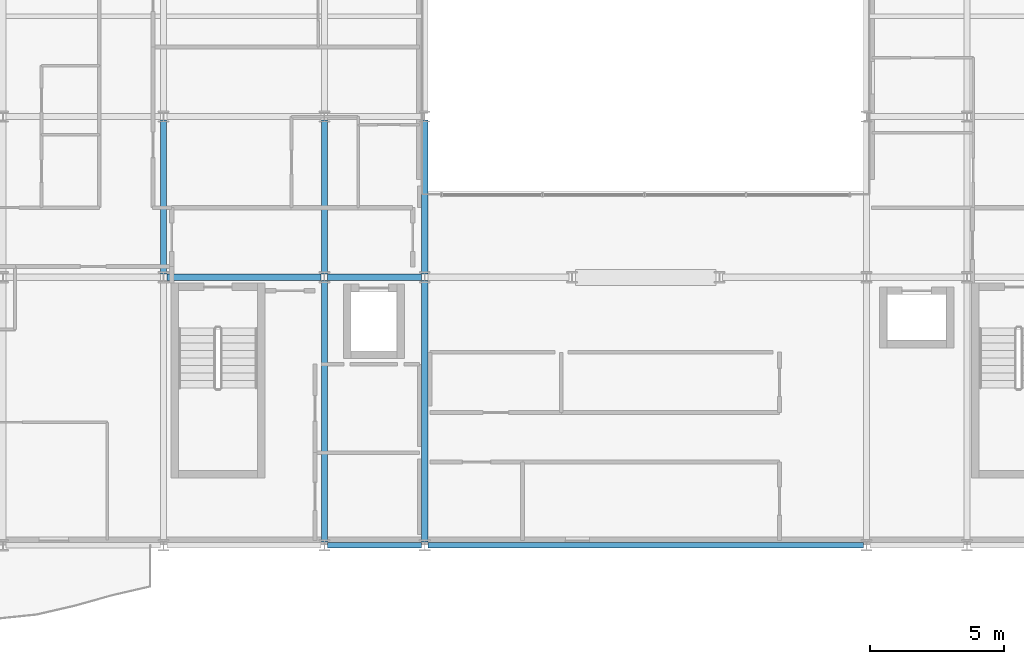
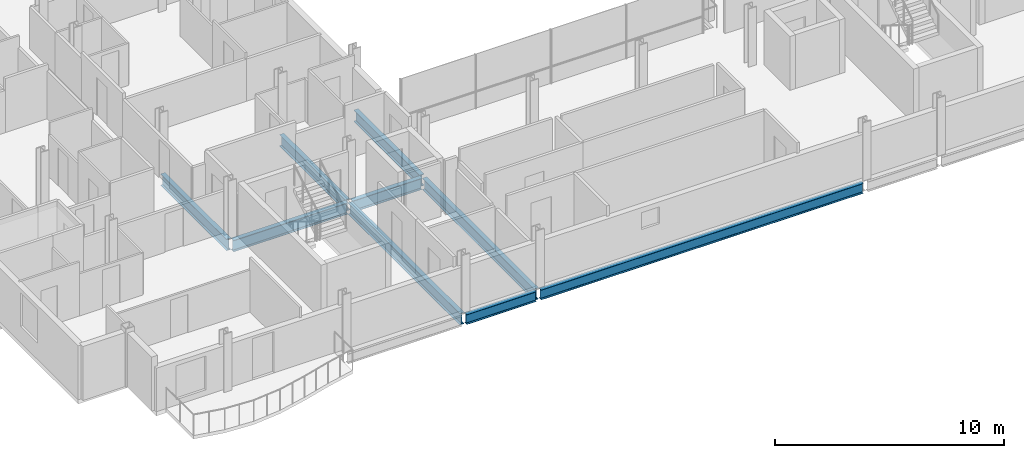
# One storey, part 3 of 40: 9 beams.
"""IFC4 building model written with IfcOpenShell, lengths in metres."""

import ifcopenshell
import ifcopenshell.guid

model = None  # the IFC model being written
_history = None  # IfcOwnerHistory: only IFC2X3 demands one
_inside = {}  # id of a spatial element -> (the spatial element, [elements in it])
_under = {}  # id of a project, library or spatial element -> (it, [spatial elements below it])
_declared = {}  # id of a project -> (the project, [libraries it declares])
_typed = {}  # id of a type object -> (the type object, [elements of that type])
_made_of = {}  # id of a material, layer set ... -> (it, [elements and type objects made of it])


def new_model(schema):
    """Start an empty IFC model of exactly this schema.

    Asked for "IFC4X3", IfcOpenShell would pick the latest addendum, in which some entities
    have other attributes; the version numbers below select the first issue.
    IFC2X3 requires an IfcOwnerHistory on every rooted entity: one is made here for all.
    """
    global model, _history
    if schema == "IFC4X3":
        model = ifcopenshell.file(schema_version=(4, 3, 0, 0))
    else:
        model = ifcopenshell.file(schema=schema)
    _inside.clear()
    _under.clear()
    _declared.clear()
    _typed.clear()
    _made_of.clear()
    _history = None
    if model.schema == "IFC2X3":
        org = make("IfcOrganization", Name="unknown")
        user = make(
            "IfcPersonAndOrganization",
            ThePerson=make("IfcPerson", FamilyName="unknown"),
            TheOrganization=org,
        )
        app = make(
            "IfcApplication",
            ApplicationDeveloper=org,
            Version="unknown",
            ApplicationFullName="unknown",
            ApplicationIdentifier="unknown",
        )
        _history = make(
            "IfcOwnerHistory",
            OwningUser=user,
            OwningApplication=app,
            ChangeAction="ADDED",
            CreationDate=0,
        )
    return model


def make(cls, **values):
    """One entity of the class cls with the attributes given. An attribute that is None is left unset."""
    return model.create_entity(
        cls, **{name: value for name, value in values.items() if value is not None}
    )


def rooted(cls, **values):
    """An entity with a GlobalId (a new one), such as an element, a storey or a relation."""
    return make(cls, GlobalId=ifcopenshell.guid.new(), OwnerHistory=_history, **values)


def si_unit(unit_type, name, prefix=None):
    """IfcSIUnit, for example si_unit("LENGTHUNIT", "METRE", prefix="MILLI")."""
    return make("IfcSIUnit", UnitType=unit_type, Prefix=prefix, Name=name)


def assignment(units):
    """IfcUnitAssignment: the units of a project."""
    return None if units is None else make("IfcUnitAssignment", Units=units)


def point(xyz):
    """IfcCartesianPoint."""
    return None if xyz is None else make("IfcCartesianPoint", Coordinates=xyz)


def direction(xyz):
    """IfcDirection."""
    return None if xyz is None else make("IfcDirection", DirectionRatios=xyz)


def frame(location, z_axis=None, x_axis=None):
    """IfcAxis2Placement3D, a coordinate frame: its origin and axes. An axis left out is left unset."""
    return make(
        "IfcAxis2Placement3D",
        Location=point(location),
        Axis=direction(z_axis),
        RefDirection=direction(x_axis),
    )


def frame_2d(location, x_axis=None):
    """IfcAxis2Placement2D, a coordinate frame in the plane: its origin and x axis."""
    return make(
        "IfcAxis2Placement2D", Location=point(location), RefDirection=direction(x_axis)
    )


def origin():
    """The frame at (0, 0, 0) with its axes left unset."""
    return frame((0.0, 0.0, 0.0))


def origin_2d():
    """The frame at (0, 0) in the plane with its x axis left unset."""
    return frame_2d((0.0, 0.0))


def place(relative_to, where):
    """IfcLocalPlacement: puts the frame where relative to a parent placement (None: the world)."""
    return make(
        "IfcLocalPlacement", PlacementRelTo=relative_to, RelativePlacement=where
    )


def context(
    kind, dimensions, precision=None, world=None, true_north=None, identifier=None
):
    """IfcGeometricRepresentationContext, for example the 3D "Model" context."""
    return make(
        "IfcGeometricRepresentationContext",
        ContextIdentifier=identifier,
        ContextType=kind,
        CoordinateSpaceDimension=dimensions,
        Precision=precision,
        WorldCoordinateSystem=world,
        TrueNorth=true_north,
    )


def subcontext(parent, identifier, kind, view, scale=None):
    """IfcGeometricRepresentationSubContext, for example "Body" below "Model"."""
    return make(
        "IfcGeometricRepresentationSubContext",
        ContextIdentifier=identifier,
        ContextType=kind,
        ParentContext=parent,
        TargetScale=scale,
        TargetView=view,
    )


def project(units=None, contexts=None):
    """IfcProject with its units and contexts."""
    return rooted(
        "IfcProject",
        Name="project",
        RepresentationContexts=contexts,
        UnitsInContext=assignment(units),
    )


def spatial(cls, under=None, at=None, **own):
    """A site, building, storey or space (cls), placed at a placement, below another one or the project."""
    s = rooted(cls, ObjectPlacement=at, **own)
    if under is not None:
        _under.setdefault(under.id(), (under, []))[1].append(s)
    return s


def profile(cls, at=None, kind="AREA", **sizes):
    """A parametric profile (cls). Its sizes go by their IFC names, for example OverallWidth=200.0."""
    return make(cls, ProfileType=kind, Position=at, **sizes)


def i_section(**sizes):
    """IfcIShapeProfileDef."""
    return profile("IfcIShapeProfileDef", **sizes)


def extrude(swept, where, along, depth):
    """IfcExtrudedAreaSolid: the profile swept, set in the frame where, extruded along a direction by depth."""
    return make(
        "IfcExtrudedAreaSolid",
        SweptArea=swept,
        Position=where,
        ExtrudedDirection=direction(along),
        Depth=depth,
    )


def shape(context_of_items, identifier, shape_type, items):
    """IfcShapeRepresentation: the items that make up one representation, for example the "Body"."""
    return make(
        "IfcShapeRepresentation",
        ContextOfItems=context_of_items,
        RepresentationIdentifier=identifier,
        RepresentationType=shape_type,
        Items=items,
    )


def material(Name=None, Category=None):
    """IfcMaterial."""
    return make("IfcMaterial", Name=Name, Category=Category)


def material_profile(
    of_material, cross_section, Name=None, Category=None, Priority=None
):
    """IfcMaterialProfile: a cross section and its material."""
    return make(
        "IfcMaterialProfile",
        Name=Name,
        Material=of_material,
        Profile=cross_section,
        Priority=Priority,
        Category=Category,
    )


def profile_set(profiles, Name=None, composite=None):
    """IfcMaterialProfileSet."""
    return make(
        "IfcMaterialProfileSet",
        Name=Name,
        MaterialProfiles=profiles,
        CompositeProfile=composite,
    )


def made_of(thing, what):
    """Note that an element or type object is made of a material, layer set ...; save() writes the relation."""
    if what is not None:
        _made_of.setdefault(what.id(), (what, []))[1].append(thing)
    return thing


def type_object(cls, material=None, **own):
    """A type object (cls), such as IfcWallType, which elements share."""
    return made_of(rooted(cls, **own), material)


def element(
    cls,
    number,
    at=None,
    inside=None,
    cuts=None,
    type_object=None,
    material=None,
    context=None,
    identifier="Body",
    shape_type=None,
    held_by="IfcProductDefinitionShape",
    body=None,
    shapes=None,
    **own,
):
    """One element of the class cls, such as IfcWall. Its Tag is "e" and its number.

    at: its placement. inside: the storey or other place that contains it. cuts: it is an
    opening in that element (IfcRelVoidsElement). A single representation is given by context,
    identifier, shape_type and body (its items); several are given by shapes. held_by: the class
    of the entity that holds the representations. save() writes the other relations.
    """
    e = rooted(cls, Tag="e%d" % number, ObjectPlacement=at, **own)
    if body is not None:
        shapes = [shape(context, identifier, shape_type, body)]
    if shapes is not None:
        e.Representation = make(held_by, Representations=shapes)
    if inside is not None:
        _inside.setdefault(inside.id(), (inside, []))[1].append(e)
    if cuts is not None:
        rooted(
            "IfcRelVoidsElement", RelatingBuildingElement=cuts, RelatedOpeningElement=e
        )
    if type_object is not None:
        _typed.setdefault(type_object.id(), (type_object, []))[1].append(e)
    return made_of(e, material)


def aggregate(whole, parts):
    """IfcRelAggregates: a whole, such as a stair, and the parts it consists of."""
    return rooted("IfcRelAggregates", RelatingObject=whole, RelatedObjects=parts)


def save(model, path):
    """Write the relations noted so far, then the file.

    IfcRelAggregates (storeys below a building ...), IfcRelContainedInSpatialStructure (elements
    in a storey), IfcRelDefinesByType, IfcRelAssociatesMaterial and IfcRelDeclares: one each for
    every whole, place, type object, material and project.
    """
    for whole, parts in _under.values():
        aggregate(whole, parts)
    for where, things in _inside.values():
        rooted(
            "IfcRelContainedInSpatialStructure",
            RelatedElements=things,
            RelatingStructure=where,
        )
    for kind, things in _typed.values():
        rooted("IfcRelDefinesByType", RelatedObjects=things, RelatingType=kind)
    for what, things in _made_of.values():
        rooted("IfcRelAssociatesMaterial", RelatedObjects=things, RelatingMaterial=what)
    for by, libraries in _declared.values():
        rooted("IfcRelDeclares", RelatingContext=by, RelatedDefinitions=libraries)
    model.write(path)


model = new_model("IFC4")

# Units and contexts
model_context = context("Model", 3, precision=1e-05, world=origin(), true_north=direction((0.0, 1.0)))
body_context = subcontext(model_context, "Body", "Model", "MODEL_VIEW")
ifc_project = project(units=[si_unit("LENGTHUNIT", "METRE"), si_unit("AREAUNIT", "SQUARE_METRE"), si_unit("VOLUMEUNIT", "CUBIC_METRE"), si_unit("PLANEANGLEUNIT", "RADIAN"), si_unit("MASSUNIT", "GRAM", prefix="KILO")], contexts=[model_context])

# Site, building, storey
site_placement = place(None, origin())
site = spatial("IfcSite", under=ifc_project, at=site_placement, CompositionType="ELEMENT")
building_placement = place(site_placement, origin())
building = spatial("IfcBuilding", under=site, at=building_placement, Name="Brevholm Reach", CompositionType="ELEMENT")
storey_placement = place(building_placement, frame((0.0, 0.0, 119.0)))
storey = spatial("IfcBuildingStorey", under=building, at=storey_placement, Name="L35", CompositionType="ELEMENT", Elevation=119.0)

# Beams
ifc_material_1 = material(Name="Structural Steel S355J2", Category="steel")
ifc_material_profile_1 = material_profile(ifc_material_1, i_section(OverallWidth=0.209228515625, OverallDepth=0.533203125, WebThickness=0.010009765625, FlangeThickness=0.015625, FilletRadius=0.0126953125, at=origin_2d()), Name="UKB 533x210x92")
ifc_profile_set_1 = profile_set([ifc_material_profile_1], Name="Structural Steel S355J2")
beam_type_1 = type_object("IfcBeamType", Name="BM-SP533", PredefinedType="SPANDREL", material=ifc_profile_set_1)
beam_1_placement = place(storey_placement, frame((18.1201171875, 0.0, -0.486572265625), z_axis=(1.0, 0.0, 0.0), x_axis=(0.0, 1.0, 0.0)))
element("IfcBeam", 1, at=beam_1_placement, inside=storey, type_object=beam_type_1, Name="L35 SP-02 Framing Beam", PredefinedType="SPANDREL", context=body_context, shape_type="SweptSolid", body=[
    extrude(i_section(OverallWidth=0.209228515625, OverallDepth=0.533203125, WebThickness=0.010009765625, FlangeThickness=0.015625, FilletRadius=0.0126953125, at=origin_2d()), origin(), (0.0, 0.0, 1.0), 3.509765625),
])
beam_2_placement = place(storey_placement, frame((21.8701171875, 0.0, -0.486572265625), z_axis=(1.0, 0.0, 0.0), x_axis=(0.0, 1.0, 0.0)))
element("IfcBeam", 2, at=beam_2_placement, inside=storey, type_object=beam_type_1, Name="L35 SP-02 Framing Beam", PredefinedType="SPANDREL", context=body_context, shape_type="SweptSolid", body=[
    extrude(i_section(OverallWidth=0.209228515625, OverallDepth=0.533203125, WebThickness=0.010009765625, FlangeThickness=0.015625, FilletRadius=0.0126953125, at=origin_2d()), origin(), (0.0, 0.0, 1.0), 16.259765625),
])
ifc_material_2 = material(Name="Structural Steel S355J2", Category="steel")
ifc_material_profile_2 = material_profile(ifc_material_2, i_section(OverallWidth=0.22900390625, OverallDepth=0.6123046875, WebThickness=0.011962890625, FlangeThickness=0.01953125, FilletRadius=0.0126953125, at=origin_2d()), Name="UKB 610x229x125")
ifc_profile_set_2 = profile_set([ifc_material_profile_2], Name="Structural Steel S355J2")
beam_type_2 = type_object("IfcBeamType", Name="BM-SP610", PredefinedType="SPANDREL", material=ifc_profile_set_2)
beam_3_placement = place(storey_placement, frame((12.1201171875, 10.0, -0.526123046875), z_axis=(1.0, 0.0, 0.0), x_axis=(0.0, 1.0, 0.0)))
element("IfcBeam", 3, at=beam_3_placement, inside=storey, type_object=beam_type_2, Name="L35 SP-01 Framing Beam", PredefinedType="SPANDREL", context=body_context, shape_type="SweptSolid", body=[
    extrude(i_section(OverallWidth=0.22900390625, OverallDepth=0.6123046875, WebThickness=0.011962890625, FlangeThickness=0.01953125, FilletRadius=0.0126953125, at=origin_2d()), origin(), (0.0, 0.0, 1.0), 5.759765625),
])
beam_4_placement = place(storey_placement, frame((18.1201171875, 10.0, -0.526123046875), z_axis=(1.0, 0.0, 0.0), x_axis=(0.0, 1.0, 0.0)))
element("IfcBeam", 4, at=beam_4_placement, inside=storey, type_object=beam_type_2, Name="L35 SP-01 Framing Beam", PredefinedType="SPANDREL", context=body_context, shape_type="SweptSolid", body=[
    extrude(i_section(OverallWidth=0.22900390625, OverallDepth=0.6123046875, WebThickness=0.011962890625, FlangeThickness=0.01953125, FilletRadius=0.0126953125, at=origin_2d()), origin(), (0.0, 0.0, 1.0), 3.509765625),
])
beam_5_placement = place(storey_placement, frame((12.0, 10.1201171875, -0.526123046875), z_axis=(0.0, 1.0, 0.0), x_axis=(-1.0, 0.0, 0.0)))
element("IfcBeam", 5, at=beam_5_placement, inside=storey, type_object=beam_type_2, Name="L35 SP-01 Framing Beam", PredefinedType="SPANDREL", context=body_context, shape_type="SweptSolid", body=[
    extrude(i_section(OverallWidth=0.22900390625, OverallDepth=0.6123046875, WebThickness=0.011962890625, FlangeThickness=0.01953125, FilletRadius=0.0126953125, at=origin_2d()), origin(), (0.0, 0.0, 1.0), 5.759765625),
])
beam_6_placement = place(storey_placement, frame((18.0, 0.1201171875, -0.526123046875), z_axis=(0.0, 1.0, 0.0), x_axis=(-1.0, 0.0, 0.0)))
element("IfcBeam", 6, at=beam_6_placement, inside=storey, type_object=beam_type_2, Name="L35 SP-01 Framing Beam", PredefinedType="SPANDREL", context=body_context, shape_type="SweptSolid", body=[
    extrude(i_section(OverallWidth=0.22900390625, OverallDepth=0.6123046875, WebThickness=0.011962890625, FlangeThickness=0.01953125, FilletRadius=0.0126953125, at=origin_2d()), origin(), (0.0, 0.0, 1.0), 9.759765625),
])
beam_7_placement = place(storey_placement, frame((18.0, 10.1201171875, -0.526123046875), z_axis=(0.0, 1.0, 0.0), x_axis=(-1.0, 0.0, 0.0)))
element("IfcBeam", 7, at=beam_7_placement, inside=storey, type_object=beam_type_2, Name="L35 SP-01 Framing Beam", PredefinedType="SPANDREL", context=body_context, shape_type="SweptSolid", body=[
    extrude(i_section(OverallWidth=0.22900390625, OverallDepth=0.6123046875, WebThickness=0.011962890625, FlangeThickness=0.01953125, FilletRadius=0.0126953125, at=origin_2d()), origin(), (0.0, 0.0, 1.0), 5.759765625),
])
beam_8_placement = place(storey_placement, frame((21.75, 0.1201171875, -0.526123046875), z_axis=(0.0, 1.0, 0.0), x_axis=(-1.0, 0.0, 0.0)))
element("IfcBeam", 8, at=beam_8_placement, inside=storey, type_object=beam_type_2, Name="L35 SP-01 Framing Beam", PredefinedType="SPANDREL", context=body_context, shape_type="SweptSolid", body=[
    extrude(i_section(OverallWidth=0.22900390625, OverallDepth=0.6123046875, WebThickness=0.011962890625, FlangeThickness=0.01953125, FilletRadius=0.0126953125, at=origin_2d()), origin(), (0.0, 0.0, 1.0), 9.759765625),
])
beam_9_placement = place(storey_placement, frame((21.75, 10.1201171875, -0.526123046875), z_axis=(0.0, 1.0, 0.0), x_axis=(-1.0, 0.0, 0.0)))
element("IfcBeam", 9, at=beam_9_placement, inside=storey, type_object=beam_type_2, Name="L35 SP-01 Framing Beam", PredefinedType="SPANDREL", context=body_context, shape_type="SweptSolid", body=[
    extrude(i_section(OverallWidth=0.22900390625, OverallDepth=0.6123046875, WebThickness=0.011962890625, FlangeThickness=0.01953125, FilletRadius=0.0126953125, at=origin_2d()), origin(), (0.0, 0.0, 1.0), 5.759765625),
])

save(model, "model.ifc")
